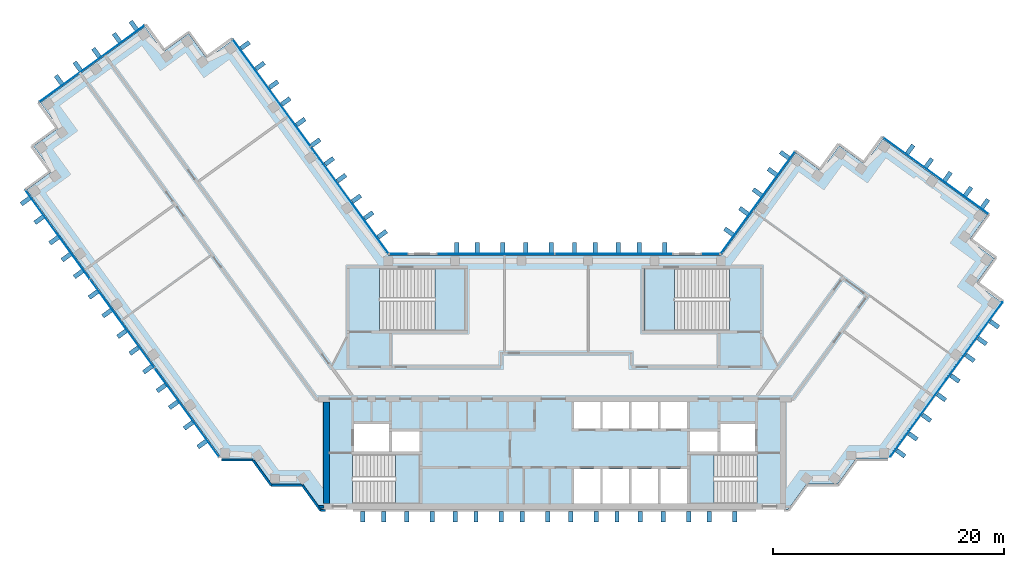
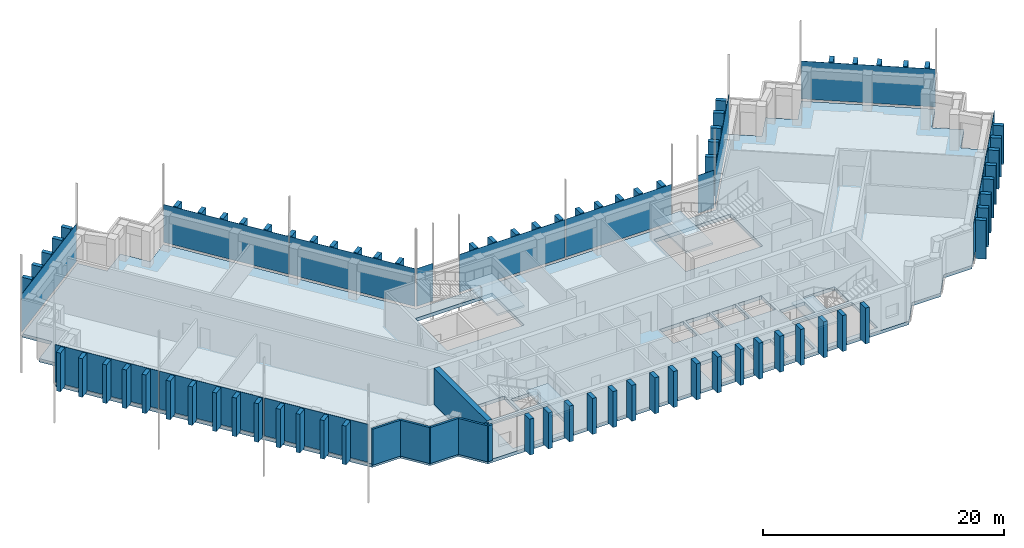
"""IFC4 building model written with IfcOpenShell, lengths in metres."""

from ifc_helpers import new_model, si_unit, direction, frame, frame_2d, origin, origin_2d, place, context, subcontext, project, spatial, polyline, rectangle, outline, extrude, material, layer, layer_set, type_object, element, aggregate, save


model = new_model("IFC4")

# Units and contexts
model_context = context("Model", 3, precision=1e-05, world=origin(), true_north=direction((0.0, 1.0)))
body_context = subcontext(model_context, "Body", "Model", "MODEL_VIEW")
ifc_project = project(units=[si_unit("LENGTHUNIT", "METRE"), si_unit("AREAUNIT", "SQUARE_METRE"), si_unit("VOLUMEUNIT", "CUBIC_METRE"), si_unit("PLANEANGLEUNIT", "RADIAN"), si_unit("MASSUNIT", "GRAM", prefix="KILO")], contexts=[model_context])

# Site, building, storey
site_placement = place(None, origin())
site = spatial("IfcSite", under=ifc_project, at=site_placement, CompositionType="ELEMENT")
building_placement = place(site_placement, origin())
building = spatial("IfcBuilding", under=site, at=building_placement, Name="Quipu Civic Tower", CompositionType="ELEMENT")
storey_1_placement = place(building_placement, frame((0.0, 0.0, 234.0)))
storey_1 = spatial("IfcBuildingStorey", under=building, at=storey_1_placement, Name="L55", CompositionType="ELEMENT", Elevation=234.0)

# Slab
ifc_material_1 = material(Name="Concrete C40/50", Category="concrete")
ifc_layer_1 = layer(ifc_material_1, 0.35009765625)
ifc_layer_set_1 = layer_set([ifc_layer_1], Name="Concrete C40/50")
slab_type_1 = type_object("IfcSlabType", Name="Floor slab 350 C40/50", PredefinedType="FLOOR", material=ifc_layer_set_1)
slab_1_placement = place(storey_1_placement, frame((0.0, 0.0, -0.35009765625)))
element("IfcSlab", 1, at=slab_1_placement, inside=storey_1, type_object=slab_type_1, Name="Floor slab L55", PredefinedType="FLOOR", context=body_context, shape_type="SweptSolid", body=[
    extrude(outline(polyline([(20.860107421875, 19.89501953125), (23.0400390625, 18.31005859375), (24.6298828125, 20.4951171875), (26.81494140625, 18.905029296875), (28.39990234375, 21.090087890625), (37.4599609375, 14.5048828125), (35.875, 12.320068359375), (38.06005859375, 10.735107421875), (36.469970703125, 8.550048828125), (38.655029296875, 6.965087890625), (28.780029296875, -6.6298828125), (26.080078125, -6.6298828125), (24.489990234375, -8.81494140625), (21.7900390625, -8.81494140625), (20.205078125, -11.0), (-20.205078125, -11.0), (-21.7900390625, -8.81494140625), (-24.489990234375, -8.81494140625), (-26.080078125, -6.6298828125), (-28.780029296875, -6.6298828125), (-45.7099609375, 16.669921875), (-43.52490234375, 18.260009765625), (-45.114990234375, 20.445068359375), (-42.929931640625, 22.030029296875), (-44.514892578125, 24.215087890625), (-35.455078125, 30.800048828125), (-33.864990234375, 28.614990234375), (-31.68505859375, 30.199951171875), (-30.094970703125, 28.014892578125), (-27.909912109375, 29.60498046875), (-14.39501953125, 11.0), (14.39501953125, 11.0), (20.860107421875, 19.89501953125)]), holes=[polyline([(1.64990234375, -7.5), (1.64990234375, -10.5), (3.949951171875, -10.5), (3.949951171875, -7.5), (1.64990234375, -7.5)]), polyline([(4.14990234375, -7.5), (4.14990234375, -10.5), (6.449951171875, -10.5), (6.449951171875, -7.5), (4.14990234375, -7.5)]), polyline([(-11.705078125, -6.2548828125), (-17.4951171875, -6.2548828125), (-17.4951171875, -10.4951171875), (-11.705078125, -10.4951171875), (-11.705078125, -6.2548828125)]), polyline([(-14.10009765625, -4.25), (-14.10009765625, -6.0), (-11.699951171875, -6.0), (-11.699951171875, -4.25), (-14.10009765625, -4.25)]), polyline([(-17.35009765625, -3.60009765625), (-17.35009765625, -6.0), (-14.35009765625, -6.0), (-14.35009765625, -3.60009765625), (-17.35009765625, -3.60009765625)]), polyline([(1.64990234375, -1.699951171875), (1.64990234375, -4.0), (3.949951171875, -4.0), (3.949951171875, -1.699951171875), (1.64990234375, -1.699951171875)]), polyline([(4.14990234375, -1.699951171875), (4.14990234375, -4.0), (6.449951171875, -4.0), (6.449951171875, -1.699951171875), (4.14990234375, -1.699951171875)]), polyline([(-7.7548828125, 9.844970703125), (-15.14501953125, 9.844970703125), (-15.14501953125, 4.5048828125), (-7.7548828125, 4.5048828125), (-7.7548828125, 9.844970703125)]), polyline([(6.64990234375, -7.5), (6.64990234375, -10.5), (8.949951171875, -10.5), (8.949951171875, -7.5), (6.64990234375, -7.5)]), polyline([(9.14990234375, -7.5), (9.14990234375, -10.5), (11.449951171875, -10.5), (11.449951171875, -7.5), (9.14990234375, -7.5)]), polyline([(11.705078125, -10.4951171875), (17.4951171875, -10.4951171875), (17.4951171875, -6.2548828125), (11.705078125, -6.2548828125), (11.705078125, -10.4951171875)]), polyline([(11.699951171875, -4.25), (11.699951171875, -6.0), (14.10009765625, -6.0), (14.10009765625, -4.25), (11.699951171875, -4.25)]), polyline([(14.35009765625, -3.60009765625), (14.35009765625, -6.0), (17.35009765625, -6.0), (17.35009765625, -3.60009765625), (14.35009765625, -3.60009765625)]), polyline([(6.64990234375, -1.699951171875), (6.64990234375, -4.0), (8.949951171875, -4.0), (8.949951171875, -1.699951171875), (6.64990234375, -1.699951171875)]), polyline([(9.14990234375, -1.699951171875), (9.14990234375, -4.0), (11.449951171875, -4.0), (11.449951171875, -1.699951171875), (9.14990234375, -1.699951171875)]), polyline([(7.7548828125, 4.5048828125), (15.14501953125, 4.5048828125), (15.14501953125, 9.844970703125), (7.7548828125, 9.844970703125), (7.7548828125, 4.5048828125)])]), origin(), (0.0, 0.0, 1.0), 0.35009765625),
])

# Curtain wall, plates
ifc_material_2 = material(Name="Insulated glass unit", Category="glass")
curtain_wall_type = type_object("IfcCurtainWallType", Name="Office curtain wall CW1", PredefinedType="NOTDEFINED", material=ifc_material_2)
curtain_wall_1_placement = place(storey_1_placement, origin())
curtain_wall_1 = element("IfcCurtainWall", 2, at=curtain_wall_1_placement, inside=storey_1, type_object=curtain_wall_type, Name="Office curtain wall CW1 L54 run 1", PredefinedType="NOTDEFINED")
ifc_material_3 = material(Name="Insulated glass unit", Category="glass")
ifc_layer_2 = layer(ifc_material_3, 0.028076171875)
ifc_layer_set_2 = layer_set([ifc_layer_2], Name="Insulated glass unit")
plate_type_1 = type_object("IfcPlateType", Name="Glass panel CW1", PredefinedType="CURTAIN_PANEL", material=ifc_layer_set_2)
plate_1_placement = place(storey_1_placement, frame((-17.7421875, 15.777099609375, 0.16015625), z_axis=(0.0, 0.0, 1.0), x_axis=(-0.587788727052, 0.809014469803, 0.0)))
plate_1 = element("IfcPlate", 3, at=plate_1_placement, type_object=plate_type_1, Name="CW1 panel 1.2", PredefinedType="CURTAIN_PANEL", context=body_context, shape_type="SweptSolid", body=[
    extrude(rectangle(XDim=11.402099609375, YDim=0.028076171875, at=origin_2d()), origin(), (0.0, 0.0, 1.0), 3.840087890625),
])
plate_2_placement = place(storey_1_placement, frame((-24.491455078125, 25.066162109375, 0.16015625), z_axis=(0.0, 0.0, 1.0), x_axis=(-0.587788727052, 0.809014469803, 0.0)))
plate_2 = element("IfcPlate", 4, at=plate_2_placement, type_object=plate_type_1, Name="CW1 panel 2.2", PredefinedType="CURTAIN_PANEL", context=body_context, shape_type="SweptSolid", body=[
    extrude(rectangle(XDim=11.402099609375, YDim=0.028076171875, at=origin_2d()), origin(), (0.0, 0.0, 1.0), 3.840087890625),
])
aggregate(curtain_wall_1, [plate_1, plate_2])

# Curtain wall, plate
curtain_wall_2_placement = place(storey_1_placement, origin())
curtain_wall_2 = element("IfcCurtainWall", 5, at=curtain_wall_2_placement, inside=storey_1, type_object=curtain_wall_type, Name="Office curtain wall CW1 L54 run 6", PredefinedType="NOTDEFINED")
plate_3_placement = place(storey_1_placement, frame((-40.04345703125, 27.58740234375, 0.16015625), z_axis=(0.0, 0.0, 1.0), x_axis=(-0.809015176832, -0.587787753918, 0.0)))
plate_3 = element("IfcPlate", 6, at=plate_3_placement, type_object=plate_type_1, Name="CW1 panel 1.2", PredefinedType="CURTAIN_PANEL", context=body_context, shape_type="SweptSolid", body=[
    extrude(rectangle(XDim=11.239990234375, YDim=0.028076171875, at=origin_2d()), origin(), (0.0, 0.0, 1.0), 3.840087890625),
])
aggregate(curtain_wall_2, [plate_3])

# Curtain wall, plates
curtain_wall_3_placement = place(storey_1_placement, origin())
curtain_wall_3 = element("IfcCurtainWall", 7, at=curtain_wall_3_placement, inside=storey_1, type_object=curtain_wall_type, Name="Office curtain wall CW1 L54 run 11", PredefinedType="NOTDEFINED")
plate_4_placement = place(storey_1_placement, frame((-43.030517578125, 12.814208984375, 0.16015625), z_axis=(0.0, 0.0, 1.0), x_axis=(0.5877856923, -0.80901667469, 0.0)))
plate_4 = element("IfcPlate", 8, at=plate_4_placement, type_object=plate_type_1, Name="CW1 panel 1.2", PredefinedType="CURTAIN_PANEL", context=body_context, shape_type="SweptSolid", body=[
    extrude(rectangle(XDim=9.43212890625, YDim=0.028076171875, at=origin_2d()), origin(), (0.0, 0.0, 1.0), 3.840087890625),
])
plate_5_placement = place(storey_1_placement, frame((-37.427734375, 5.102783203125, 0.16015625), z_axis=(0.0, 0.0, 1.0), x_axis=(0.5877856923, -0.80901667469, 0.0)))
plate_5 = element("IfcPlate", 9, at=plate_5_placement, type_object=plate_type_1, Name="CW1 panel 2.2", PredefinedType="CURTAIN_PANEL", context=body_context, shape_type="SweptSolid", body=[
    extrude(rectangle(XDim=9.471923828125, YDim=0.028076171875, at=origin_2d()), origin(), (0.0, 0.0, 1.0), 3.840087890625),
])
plate_6_placement = place(storey_1_placement, frame((-31.824951171875, -2.60888671875, 0.16015625), z_axis=(0.0, 0.0, 1.0), x_axis=(0.5877856923, -0.80901667469, 0.0)))
plate_6 = element("IfcPlate", 10, at=plate_6_placement, type_object=plate_type_1, Name="CW1 panel 3.2", PredefinedType="CURTAIN_PANEL", context=body_context, shape_type="SweptSolid", body=[
    extrude(rectangle(XDim=9.43212890625, YDim=0.028076171875, at=origin_2d()), origin(), (0.0, 0.0, 1.0), 3.840087890625),
])
aggregate(curtain_wall_3, [plate_4, plate_5, plate_6])

# Curtain wall, plate
curtain_wall_4_placement = place(storey_1_placement, origin())
curtain_wall_4 = element("IfcCurtainWall", 11, at=curtain_wall_4_placement, inside=storey_1, type_object=curtain_wall_type, Name="Office curtain wall CW1 L54 run 21", PredefinedType="NOTDEFINED")
plate_7_placement = place(storey_1_placement, frame((32.989990234375, 17.87939453125, 0.16015625), z_axis=(0.0, 0.0, 1.0), x_axis=(-0.809015176832, 0.587787753918, 0.0)))
plate_7 = element("IfcPlate", 12, at=plate_7_placement, type_object=plate_type_1, Name="CW1 panel 1.2", PredefinedType="CURTAIN_PANEL", context=body_context, shape_type="SweptSolid", body=[
    extrude(rectangle(XDim=11.239990234375, YDim=0.028076171875, at=origin_2d()), origin(), (0.0, 0.0, 1.0), 3.840087890625),
])
aggregate(curtain_wall_4, [plate_7])

curtain_wall_5_placement = place(storey_1_placement, origin())
curtain_wall_5 = element("IfcCurtainWall", 13, at=curtain_wall_5_placement, inside=storey_1, type_object=curtain_wall_type, Name="Office curtain wall CW1 L54 run 26", PredefinedType="NOTDEFINED")
plate_8_placement = place(storey_1_placement, frame((17.590087890625, 15.5673828125, 0.16015625), z_axis=(0.0, 0.0, 1.0), x_axis=(-0.587787771652, -0.809015163947, 0.0)))
plate_8 = element("IfcPlate", 14, at=plate_8_placement, type_object=plate_type_1, Name="CW1 panel 1.2", PredefinedType="CURTAIN_PANEL", context=body_context, shape_type="SweptSolid", body=[
    extrude(rectangle(XDim=10.88427734375, YDim=0.028076171875, at=origin_2d()), origin(), (0.0, 0.0, 1.0), 3.840087890625),
])
aggregate(curtain_wall_5, [plate_8])

curtain_wall_6_placement = place(storey_1_placement, origin())
curtain_wall_6 = element("IfcCurtainWall", 15, at=curtain_wall_6_placement, inside=storey_1, type_object=curtain_wall_type, Name="Office curtain wall CW1 L54 run 27", PredefinedType="NOTDEFINED")
plate_9_placement = place(storey_1_placement, frame((13.49951171875, 11.10009765625, 0.16015625), z_axis=(0.0, 0.0, 1.0), x_axis=(-1.0, 0.0, 0.0)))
plate_9 = element("IfcPlate", 16, at=plate_9_placement, type_object=plate_type_1, Name="CW1 panel 1.2", PredefinedType="CURTAIN_PANEL", context=body_context, shape_type="SweptSolid", body=[
    extrude(rectangle(XDim=1.529296875, YDim=0.028076171875, at=origin_2d()), origin(), (0.0, 0.0, 1.0), 3.840087890625),
])
aggregate(curtain_wall_6, [plate_9])

# Curtain wall, plates
curtain_wall_7_placement = place(storey_1_placement, origin())
curtain_wall_7 = element("IfcCurtainWall", 17, at=curtain_wall_7_placement, inside=storey_1, type_object=curtain_wall_type, Name="Office curtain wall CW1 L54 run 29", PredefinedType="NOTDEFINED")
plate_10_placement = place(storey_1_placement, frame((5.11181640625, 11.10009765625, 0.16015625), z_axis=(0.0, 0.0, 1.0), x_axis=(-1.0, 0.0, 0.0)))
plate_10 = element("IfcPlate", 18, at=plate_10_placement, type_object=plate_type_1, Name="CW1 panel 1.2", PredefinedType="CURTAIN_PANEL", context=body_context, shape_type="SweptSolid", body=[
    extrude(rectangle(XDim=10.1435546875, YDim=0.028076171875, at=origin_2d()), origin(), (0.0, 0.0, 1.0), 3.840087890625),
])
plate_11_placement = place(storey_1_placement, frame((-5.11181640625, 11.10009765625, 0.16015625), z_axis=(0.0, 0.0, 1.0), x_axis=(-1.0, 0.0, 0.0)))
plate_11 = element("IfcPlate", 19, at=plate_11_placement, type_object=plate_type_1, Name="CW1 panel 2.2", PredefinedType="CURTAIN_PANEL", context=body_context, shape_type="SweptSolid", body=[
    extrude(rectangle(XDim=10.1435546875, YDim=0.028076171875, at=origin_2d()), origin(), (0.0, 0.0, 1.0), 3.840087890625),
])
aggregate(curtain_wall_7, [plate_10, plate_11])

# Curtain wall, plate
curtain_wall_8_placement = place(storey_1_placement, origin())
curtain_wall_8 = element("IfcCurtainWall", 20, at=curtain_wall_8_placement, inside=storey_1, type_object=curtain_wall_type, Name="Office curtain wall CW1 L54 run 31", PredefinedType="NOTDEFINED")
plate_12_placement = place(storey_1_placement, frame((-13.49951171875, 11.10009765625, 0.16015625), z_axis=(0.0, 0.0, 1.0), x_axis=(-1.0, 0.0, 0.0)))
plate_12 = element("IfcPlate", 21, at=plate_12_placement, type_object=plate_type_1, Name="CW1 panel 1.2", PredefinedType="CURTAIN_PANEL", context=body_context, shape_type="SweptSolid", body=[
    extrude(rectangle(XDim=1.529296875, YDim=0.028076171875, at=origin_2d()), origin(), (0.0, 0.0, 1.0), 3.840087890625),
])
aggregate(curtain_wall_8, [plate_12])

# Storey
storey_2_placement = place(building_placement, frame((0.0, 0.0, 238.0)))
storey_2 = spatial("IfcBuildingStorey", under=building, at=storey_2_placement, Name="L56", CompositionType="ELEMENT", Elevation=238.0)

# Curtain wall, plates
curtain_wall_9_placement = place(storey_2_placement, origin())
curtain_wall_9 = element("IfcCurtainWall", 22, at=curtain_wall_9_placement, inside=storey_2, type_object=curtain_wall_type, Name="Office curtain wall CW1 L55 run 4", PredefinedType="NOTDEFINED")
plate_13_placement = place(storey_1_placement, frame((31.465087890625, -3.10400390625, 0.240234375), z_axis=(0.0, 0.0, 1.0), x_axis=(0.58778680192, 0.809015868502, 0.0)))
plate_13 = element("IfcPlate", 23, at=plate_13_placement, inside=storey_1, type_object=plate_type_1, Name="CW1 panel 1.1", PredefinedType="CURTAIN_PANEL", context=body_context, shape_type="SweptSolid", body=[
    extrude(rectangle(XDim=8.2080078125, YDim=0.028076171875, at=origin_2d()), origin(), (0.0, 0.0, 1.0), 3.760009765625),
])
plate_14_placement = place(storey_1_placement, frame((36.3369140625, 3.60107421875, 0.240234375), z_axis=(0.0, 0.0, 1.0), x_axis=(0.58778680192, 0.809015868502, 0.0)))
plate_14 = element("IfcPlate", 24, at=plate_14_placement, inside=storey_1, type_object=plate_type_1, Name="CW1 panel 2.1", PredefinedType="CURTAIN_PANEL", context=body_context, shape_type="SweptSolid", body=[
    extrude(rectangle(XDim=8.2080078125, YDim=0.028076171875, at=origin_2d()), origin(), (0.0, 0.0, 1.0), 3.760009765625),
])
aggregate(curtain_wall_9, [plate_13, plate_14])

# Plates
ifc_material_4 = material(Name="Precast concrete C40/50", Category="concrete")
plate_type_2 = type_object("IfcPlateType", Name="Precast fin F2", PredefinedType="SHEET", material=ifc_material_4)
for number, where, z_axis, x_axis, name in (
    (25, (-14.92138671875, 12.830078125, 0.080078125), (0.0, 0.0, 1.0), (-0.587787133119, 0.809015627871, 0.0), "Precast fin F2 L55.P04.1"),
    (26, (-16.09716796875, 14.4482421875, 0.080078125), (0.0, 0.0, 1.0), (-0.587787133119, 0.809015627871, 0.0), "Precast fin F2 L55.P04.2"),
    (27, (-17.155029296875, 15.904541015625, 0.080078125), (0.0, 0.0, 1.0), (-0.587787133119, 0.809015627871, 0.0), "Precast fin F2 L55.P04.3"),
    (28, (-18.4482421875, 17.684326171875, 0.080078125), (0.0, 0.0, 1.0), (-0.587787133119, 0.809015627871, 0.0), "Precast fin F2 L55.P04.4"),
    (29, (-19.506103515625, 19.140625, 0.080078125), (0.0, 0.0, 1.0), (-0.587787133119, 0.809015627871, 0.0), "Precast fin F2 L55.P04.5"),
    (30, (-20.681884765625, 20.758544921875, 0.080078125), (0.0, 0.0, 1.0), (-0.587787133119, 0.809015627871, 0.0), "Precast fin F2 L55.P04.6"),
    (31, (-21.974853515625, 22.538330078125, 0.080078125), (0.0, 0.0, 1.0), (-0.587787133119, 0.809015627871, 0.0), "Precast fin F2 L55.P04.7"),
    (32, (-23.26806640625, 24.318115234375, 0.080078125), (0.0, 0.0, 1.0), (-0.587787133119, 0.809015627871, 0.0), "Precast fin F2 L55.P04.8"),
    (33, (-24.326171875, 25.7744140625, 0.080078125), (0.0, 0.0, 1.0), (-0.587787133119, 0.809015627871, 0.0), "Precast fin F2 L55.P04.9"),
    (34, (-25.501708984375, 27.392578125, 0.080078125), (0.0, 0.0, 1.0), (-0.587787133119, 0.809015627871, 0.0), "Precast fin F2 L55.P04.10"),
    (35, (-26.794677734375, 29.17236328125, 0.080078125), (0.0, 0.0, 1.0), (-0.587787133119, 0.809015627871, 0.0), "Precast fin F2 L55.P04.11"),
    (36, (-36.434814453125, 30.88916015625, 0.080078125), (0.0, 0.0, 1.0), (-0.809017072762, -0.587785144401, 0.0), "Precast fin F2 L55.P09.1"),
    (37, (-37.89111328125, 29.8310546875, 0.080078125), (0.0, 0.0, 1.0), (-0.809017072762, -0.587785144401, 0.0), "Precast fin F2 L55.P09.2"),
    (38, (-39.6708984375, 28.537841796875, 0.080078125), (0.0, 0.0, 1.0), (-0.809017072762, -0.587785144401, 0.0), "Precast fin F2 L55.P09.3"),
    (39, (-41.2890625, 27.3623046875, 0.080078125), (0.0, 0.0, 1.0), (-0.809017072762, -0.587785144401, 0.0), "Precast fin F2 L55.P09.4"),
    (40, (-42.906982421875, 26.186767578125, 0.080078125), (0.0, 0.0, 1.0), (-0.809017072762, -0.587785144401, 0.0), "Precast fin F2 L55.P09.5"),
    (41, (-45.80078125, 15.69140625, 0.080078125), (0.0, 0.0, 1.0), (0.587785620359, -0.809016726959, 0.0), "Precast fin F2 L55.P14.1"),
    (42, (-44.625244140625, 14.073486328125, 0.080078125), (0.0, 0.0, 1.0), (0.587785620359, -0.809016726959, 0.0), "Precast fin F2 L55.P14.2"),
    (43, (-43.33203125, 12.293701171875, 0.080078125), (0.0, 0.0, 1.0), (0.587785620359, -0.809016726959, 0.0), "Precast fin F2 L55.P14.3"),
    (44, (-42.27392578125, 10.83740234375, 0.080078125), (0.0, 0.0, 1.0), (0.587785620359, -0.809016726959, 0.0), "Precast fin F2 L55.P14.4"),
    (45, (-41.216064453125, 9.381103515625, 0.080078125), (0.0, 0.0, 1.0), (0.587785620359, -0.809016726959, 0.0), "Precast fin F2 L55.P14.5"),
    (46, (-39.9228515625, 7.601318359375, 0.080078125), (0.0, 0.0, 1.0), (0.587785620359, -0.809016726959, 0.0), "Precast fin F2 L55.P14.6"),
    (47, (-38.747314453125, 5.983154296875, 0.080078125), (0.0, 0.0, 1.0), (0.587785620359, -0.809016726959, 0.0), "Precast fin F2 L55.P14.7"),
    (48, (-37.4541015625, 4.203369140625, 0.080078125), (0.0, 0.0, 1.0), (0.587785620359, -0.809016726959, 0.0), "Precast fin F2 L55.P14.8"),
    (49, (-36.396240234375, 2.747314453125, 0.080078125), (0.0, 0.0, 1.0), (0.587785620359, -0.809016726959, 0.0), "Precast fin F2 L55.P14.9"),
    (50, (-35.220458984375, 1.129150390625, 0.080078125), (0.0, 0.0, 1.0), (0.587785620359, -0.809016726959, 0.0), "Precast fin F2 L55.P14.10"),
    (51, (-34.044921875, -0.48876953125, 0.080078125), (0.0, 0.0, 1.0), (0.587785620359, -0.809016726959, 0.0), "Precast fin F2 L55.P14.11"),
    (52, (-32.987060546875, -1.945068359375, 0.080078125), (0.0, 0.0, 1.0), (0.587785620359, -0.809016726959, 0.0), "Precast fin F2 L55.P14.12"),
    (53, (-31.69384765625, -3.724853515625, 0.080078125), (0.0, 0.0, 1.0), (0.587785620359, -0.809016726959, 0.0), "Precast fin F2 L55.P14.13"),
    (54, (-30.518310546875, -5.343017578125, 0.080078125), (0.0, 0.0, 1.0), (0.587785620359, -0.809016726959, 0.0), "Precast fin F2 L55.P14.14"),
):
    element("IfcPlate", number, at=place(storey_1_placement, frame(where, z_axis=z_axis, x_axis=x_axis)), inside=storey_1, type_object=plate_type_2, Name=name, PredefinedType="SHEET", context=body_context, shape_type="SweptSolid", body=[
        extrude(rectangle(XDim=0.3798828125, YDim=0.89990234375, at=origin_2d()), origin(), (0.0, 0.0, 1.0), 3.919921875),
    ])
for number, where, z_axis, x_axis, name in (
    (55, (-16.610107421875, -11.637939453125, 0.0), (0.0, 0.0, 1.0), (1.0, 0.0, 0.0), "Precast fin F2 L55.P21.1"),
    (56, (-14.81005859375, -11.637939453125, 0.0), (0.0, 0.0, 1.0), (1.0, 0.0, 0.0), "Precast fin F2 L55.P21.2"),
    (57, (-12.81005859375, -11.637939453125, 0.0), (0.0, 0.0, 1.0), (1.0, 0.0, 0.0), "Precast fin F2 L55.P21.3"),
    (58, (-10.610107421875, -11.637939453125, 0.0), (0.0, 0.0, 1.0), (1.0, 0.0, 0.0), "Precast fin F2 L55.P21.4"),
    (59, (-8.610107421875, -11.637939453125, 0.0), (0.0, 0.0, 1.0), (1.0, 0.0, 0.0), "Precast fin F2 L55.P21.5"),
    (60, (-6.81005859375, -11.637939453125, 0.0), (0.0, 0.0, 1.0), (1.0, 0.0, 0.0), "Precast fin F2 L55.P21.6"),
    (61, (-4.610107421875, -11.637939453125, 0.0), (0.0, 0.0, 1.0), (1.0, 0.0, 0.0), "Precast fin F2 L55.P21.7"),
    (62, (-2.81005859375, -11.637939453125, 0.0), (0.0, 0.0, 1.0), (1.0, 0.0, 0.0), "Precast fin F2 L55.P21.8"),
    (63, (-0.610107421875, -11.637939453125, 0.0), (0.0, 0.0, 1.0), (1.0, 0.0, 0.0), "Precast fin F2 L55.P21.9"),
    (64, (1.389892578125, -11.637939453125, 0.0), (0.0, 0.0, 1.0), (1.0, 0.0, 0.0), "Precast fin F2 L55.P21.10"),
    (65, (3.590087890625, -11.637939453125, 0.0), (0.0, 0.0, 1.0), (1.0, 0.0, 0.0), "Precast fin F2 L55.P21.11"),
    (66, (5.389892578125, -11.637939453125, 0.0), (0.0, 0.0, 1.0), (1.0, 0.0, 0.0), "Precast fin F2 L55.P21.12"),
    (67, (7.389892578125, -11.637939453125, 0.0), (0.0, 0.0, 1.0), (1.0, 0.0, 0.0), "Precast fin F2 L55.P21.13"),
    (68, (9.389892578125, -11.637939453125, 0.0), (0.0, 0.0, 1.0), (1.0, 0.0, 0.0), "Precast fin F2 L55.P21.14"),
    (69, (11.590087890625, -11.637939453125, 0.0), (0.0, 0.0, 1.0), (1.0, 0.0, 0.0), "Precast fin F2 L55.P21.15"),
    (70, (13.389892578125, -11.637939453125, 0.0), (0.0, 0.0, 1.0), (1.0, 0.0, 0.0), "Precast fin F2 L55.P21.16"),
    (71, (15.590087890625, -11.637939453125, 0.0), (0.0, 0.0, 1.0), (1.0, 0.0, 0.0), "Precast fin F2 L55.P21.17"),
):
    element("IfcPlate", number, at=place(storey_1_placement, frame(where, z_axis=z_axis, x_axis=x_axis)), inside=storey_1, type_object=plate_type_2, Name=name, PredefinedType="SHEET", context=body_context, shape_type="SweptSolid", body=[
        extrude(rectangle(XDim=0.3798828125, YDim=0.89990234375, at=origin_2d()), origin(), (0.0, 0.0, 1.0), 3.64990234375),
    ])
for number, where, z_axis, x_axis, name in (
    (72, (37.2451171875, 15.467529296875, 0.080078125), (0.0, 0.0, 1.0), (-0.809017072762, 0.587785144401, 0.0), "Precast fin F2 L55.P25.1"),
    (73, (35.7890625, 16.525634765625, 0.080078125), (0.0, 0.0, 1.0), (-0.809017072762, 0.587785144401, 0.0), "Precast fin F2 L55.P25.2"),
    (74, (34.009033203125, 17.81884765625, 0.080078125), (0.0, 0.0, 1.0), (-0.809017072762, 0.587785144401, 0.0), "Precast fin F2 L55.P25.3"),
    (75, (32.39111328125, 18.994384765625, 0.080078125), (0.0, 0.0, 1.0), (-0.809017072762, 0.587785144401, 0.0), "Precast fin F2 L55.P25.4"),
    (76, (30.77294921875, 20.169921875, 0.080078125), (0.0, 0.0, 1.0), (-0.809017072762, 0.587785144401, 0.0), "Precast fin F2 L55.P25.5"),
    (77, (19.897216796875, 19.6787109375, 0.080078125), (0.0, 0.0, 1.0), (-0.58778443384, -0.809017589015, 0.0), "Precast fin F2 L55.P30.1"),
    (78, (18.839111328125, 18.222412109375, 0.080078125), (0.0, 0.0, 1.0), (-0.58778443384, -0.809017589015, 0.0), "Precast fin F2 L55.P30.2"),
    (79, (17.546142578125, 16.442626953125, 0.080078125), (0.0, 0.0, 1.0), (-0.58778443384, -0.809017589015, 0.0), "Precast fin F2 L55.P30.3"),
    (80, (16.370361328125, 14.824462890625, 0.080078125), (0.0, 0.0, 1.0), (-0.58778443384, -0.809017589015, 0.0), "Precast fin F2 L55.P30.4"),
    (81, (15.077392578125, 13.044677734375, 0.080078125), (0.0, 0.0, 1.0), (-0.58778443384, -0.809017589015, 0.0), "Precast fin F2 L55.P30.5"),
    (82, (9.510009765625, 11.64990234375, 0.080078125), (0.0, 0.0, 1.0), (-1.0, 0.0, 0.0), "Precast fin F2 L55.P33.1"),
    (83, (7.31005859375, 11.64990234375, 0.080078125), (0.0, 0.0, 1.0), (-1.0, 0.0, 0.0), "Precast fin F2 L55.P33.2"),
    (84, (5.510009765625, 11.64990234375, 0.080078125), (0.0, 0.0, 1.0), (-1.0, 0.0, 0.0), "Precast fin F2 L55.P33.3"),
    (85, (3.510009765625, 11.64990234375, 0.080078125), (0.0, 0.0, 1.0), (-1.0, 0.0, 0.0), "Precast fin F2 L55.P33.4"),
    (86, (1.7099609375, 11.64990234375, 0.080078125), (0.0, 0.0, 1.0), (-1.0, 0.0, 0.0), "Precast fin F2 L55.P33.5"),
    (87, (-0.2900390625, 11.64990234375, 0.080078125), (0.0, 0.0, 1.0), (-1.0, 0.0, 0.0), "Precast fin F2 L55.P33.6"),
    (88, (-2.489990234375, 11.64990234375, 0.080078125), (0.0, 0.0, 1.0), (-1.0, 0.0, 0.0), "Precast fin F2 L55.P33.7"),
    (89, (-4.489990234375, 11.64990234375, 0.080078125), (0.0, 0.0, 1.0), (-1.0, 0.0, 0.0), "Precast fin F2 L55.P33.8"),
    (90, (-6.68994140625, 11.64990234375, 0.080078125), (0.0, 0.0, 1.0), (-1.0, 0.0, 0.0), "Precast fin F2 L55.P33.9"),
    (91, (-8.489990234375, 11.64990234375, 0.080078125), (0.0, 0.0, 1.0), (-1.0, 0.0, 0.0), "Precast fin F2 L55.P33.10"),
    (92, (29.943603515625, -6.134033203125, 0.080078125), (0.0, 0.0, 1.0), (0.587786668783, 0.809015965233, 0.0), "Precast fin F2 L55.4.1"),
    (93, (31.00146484375, -4.677734375, 0.080078125), (0.0, 0.0, 1.0), (0.587786668783, 0.809015965233, 0.0), "Precast fin F2 L55.4.2"),
    (94, (32.17724609375, -3.059814453125, 0.080078125), (0.0, 0.0, 1.0), (0.587786668783, 0.809015965233, 0.0), "Precast fin F2 L55.4.3"),
    (95, (33.47021484375, -1.280029296875, 0.080078125), (0.0, 0.0, 1.0), (0.587786668783, 0.809015965233, 0.0), "Precast fin F2 L55.4.4"),
    (96, (34.645751953125, 0.338134765625, 0.080078125), (0.0, 0.0, 1.0), (0.587786668783, 0.809015965233, 0.0), "Precast fin F2 L55.4.5"),
    (97, (35.93896484375, 2.117919921875, 0.080078125), (0.0, 0.0, 1.0), (0.587786668783, 0.809015965233, 0.0), "Precast fin F2 L55.4.6"),
    (98, (36.9970703125, 3.57421875, 0.080078125), (0.0, 0.0, 1.0), (0.587786668783, 0.809015965233, 0.0), "Precast fin F2 L55.4.7"),
    (99, (38.054931640625, 5.030517578125, 0.080078125), (0.0, 0.0, 1.0), (0.587786668783, 0.809015965233, 0.0), "Precast fin F2 L55.4.8"),
):
    element("IfcPlate", number, at=place(storey_1_placement, frame(where, z_axis=z_axis, x_axis=x_axis)), inside=storey_1, type_object=plate_type_2, Name=name, PredefinedType="SHEET", context=body_context, shape_type="SweptSolid", body=[
        extrude(rectangle(XDim=0.3798828125, YDim=0.89990234375, at=origin_2d()), origin(), (0.0, 0.0, 1.0), 3.919921875),
    ])

# Stair, slab
ifc_material_5 = material(Name="Concrete C40/50", Category="concrete")
stair_type_1 = type_object("IfcStairType", Name="Half turn stair 2000", PredefinedType="HALF_TURN_STAIR", material=ifc_material_5)
stair_1_placement = place(storey_1_placement, origin())
stair_1 = element("IfcStair", 100, at=stair_1_placement, inside=storey_1, type_object=stair_type_1, Name="Exit stair 1", PredefinedType="HALF_TURN_STAIR")
ifc_material_6 = material(Name="Concrete C40/50", Category="concrete")
ifc_layer_3 = layer(ifc_material_6, 0.199951171875)
ifc_layer_set_3 = layer_set([ifc_layer_3], Name="Concrete C40/50")
slab_type_2 = type_object("IfcSlabType", Name="Stair landing 200", PredefinedType="LANDING", material=ifc_layer_set_3)
slab_2_placement = place(storey_1_placement, frame((0.0, 0.0, 1.800048828125)))
slab_2 = element("IfcSlab", 101, at=slab_2_placement, type_object=slab_type_2, Name="ST-1 landing 1", PredefinedType="LANDING", context=body_context, shape_type="SweptSolid", body=[
    extrude(outline(polyline([(-13.780029296875, -10.5), (-11.699951171875, -10.5), (-11.699951171875, -6.25), (-13.780029296875, -6.25), (-13.780029296875, -10.5)])), origin(), (0.0, 0.0, 1.0), 0.199951171875),
])
aggregate(stair_1, [slab_2])

stair_2_placement = place(storey_1_placement, origin())
stair_2 = element("IfcStair", 102, at=stair_2_placement, inside=storey_1, type_object=stair_type_1, Name="Exit stair 2", PredefinedType="HALF_TURN_STAIR")
slab_3_placement = place(storey_1_placement, frame((0.0, 0.0, 1.800048828125)))
slab_3 = element("IfcSlab", 103, at=slab_3_placement, type_object=slab_type_2, Name="ST-2 landing 1", PredefinedType="LANDING", context=body_context, shape_type="SweptSolid", body=[
    extrude(outline(polyline([(13.780029296875, -6.25), (11.699951171875, -6.25), (11.699951171875, -10.5), (13.780029296875, -10.5), (13.780029296875, -6.25)])), origin(), (0.0, 0.0, 1.0), 0.199951171875),
])
aggregate(stair_2, [slab_3])

ifc_material_7 = material(Name="Concrete C40/50", Category="concrete")
stair_type_2 = type_object("IfcStairType", Name="Half turn stair 2600", PredefinedType="HALF_TURN_STAIR", material=ifc_material_7)
stair_3_placement = place(storey_1_placement, origin())
stair_3 = element("IfcStair", 104, at=stair_3_placement, inside=storey_1, type_object=stair_type_2, Name="Exit stair 3", PredefinedType="HALF_TURN_STAIR")
slab_4_placement = place(storey_1_placement, frame((0.0, 0.0, 1.800048828125)))
slab_4 = element("IfcSlab", 105, at=slab_4_placement, type_object=slab_type_2, Name="ST-3 landing 1", PredefinedType="LANDING", context=body_context, shape_type="SweptSolid", body=[
    extrude(outline(polyline([(-10.35009765625, 4.5), (-7.75, 4.5), (-7.75, 9.85009765625), (-10.35009765625, 9.85009765625), (-10.35009765625, 4.5)])), origin(), (0.0, 0.0, 1.0), 0.199951171875),
])
aggregate(stair_3, [slab_4])

stair_4_placement = place(storey_1_placement, origin())
stair_4 = element("IfcStair", 106, at=stair_4_placement, inside=storey_1, type_object=stair_type_2, Name="Exit stair 4", PredefinedType="HALF_TURN_STAIR")
slab_5_placement = place(storey_1_placement, frame((0.0, 0.0, 1.800048828125)))
slab_5 = element("IfcSlab", 107, at=slab_5_placement, type_object=slab_type_2, Name="ST-4 landing 1", PredefinedType="LANDING", context=body_context, shape_type="SweptSolid", body=[
    extrude(outline(polyline([(10.35009765625, 9.85009765625), (7.75, 9.85009765625), (7.75, 4.5), (10.35009765625, 4.5), (10.35009765625, 9.85009765625)])), origin(), (0.0, 0.0, 1.0), 0.199951171875),
])
aggregate(stair_4, [slab_5])

# Walls
ifc_material_8 = material(Name="Concrete C70/85", Category="concrete")
ifc_layer_4 = layer(ifc_material_8, 0.5)
ifc_layer_set_4 = layer_set([ifc_layer_4], Name="Concrete C70/85")
wall_type_1 = type_object("IfcWallType", Name="Core wall 500", PredefinedType="SHEAR", material=ifc_layer_set_4)
wall_1_placement = place(storey_1_placement, frame((-19.75, -10.5, 0.0), z_axis=(0.0, 0.0, 1.0), x_axis=(0.0, 1.0, 0.0)))
element("IfcWall", 108, at=wall_1_placement, inside=storey_1, type_object=wall_type_1, Name="Core wall", PredefinedType="SHEAR", context=body_context, shape_type="SweptSolid", body=[
    extrude(rectangle(XDim=8.800048828125, YDim=0.5, at=frame_2d((4.39990234375, 0.0))), origin(), (0.0, 0.0, 1.0), 3.64990234375),
])
ifc_material_9 = material(Name="Precast concrete C40/50", Category="concrete")
wall_type_2 = type_object("IfcWallType", Name="Precast cladding wall", PredefinedType="SOLIDWALL", material=ifc_material_9)
wall_2_placement = place(storey_1_placement, frame((-28.829833984375, -6.71923828125, 0.0), z_axis=(0.0, 0.0, 1.0), x_axis=(1.0, 0.0, 0.0)))
element("IfcWall", 109, at=wall_2_placement, inside=storey_1, type_object=wall_type_2, Name="Precast cladding wall L55 P15", PredefinedType="SOLIDWALL", context=body_context, shape_type="SweptSolid", body=[
    extrude(rectangle(XDim=2.699951171875, YDim=0.199951171875, at=frame_2d((1.35009765625, 0.0))), origin(), (0.0, 0.0, 1.0), 3.64990234375),
])
wall_3_placement = place(storey_1_placement, frame((-26.1201171875, -6.72412109375, 0.0), z_axis=(0.0, 0.0, 1.0), x_axis=(0.587720002413, -0.809064397168, 0.0)))
element("IfcWall", 110, at=wall_3_placement, inside=storey_1, type_object=wall_type_2, Name="Precast cladding wall L55 P16", PredefinedType="SOLIDWALL", context=body_context, shape_type="SweptSolid", body=[
    extrude(rectangle(XDim=2.7001953125, YDim=0.199951171875, at=frame_2d((1.35009765625, 0.0))), origin(), (0.0, 0.0, 1.0), 3.64990234375),
])
wall_4_placement = place(storey_1_placement, frame((-24.542724609375, -8.90380859375, 0.0), z_axis=(0.0, 0.0, 1.0), x_axis=(1.0, 0.0, 0.0)))
element("IfcWall", 111, at=wall_4_placement, inside=storey_1, type_object=wall_type_2, Name="Precast cladding wall L55 P17", PredefinedType="SOLIDWALL", context=body_context, shape_type="SweptSolid", body=[
    extrude(rectangle(XDim=2.699951171875, YDim=0.199951171875, at=frame_2d((1.35009765625, 0.0))), origin(), (0.0, 0.0, 1.0), 3.64990234375),
])
wall_5_placement = place(storey_1_placement, frame((-21.8330078125, -8.90869140625, 0.0), z_axis=(0.0, 0.0, 1.0), x_axis=(0.587766567315, -0.809030569476, 0.0)))
element("IfcWall", 112, at=wall_5_placement, inside=storey_1, type_object=wall_type_2, Name="Precast cladding wall L55 P18", PredefinedType="SOLIDWALL", context=body_context, shape_type="SweptSolid", body=[
    extrude(rectangle(XDim=2.687744140625, YDim=0.199951171875, at=frame_2d((1.34375, 0.0))), origin(), (0.0, 0.0, 1.0), 3.64990234375),
])
wall_6_placement = place(storey_1_placement, frame((-20.255859375, -11.087890625, 0.0), z_axis=(0.0, 0.0, 1.0), x_axis=(1.0, 0.0, 0.0)))
element("IfcWall", 113, at=wall_6_placement, inside=storey_1, type_object=wall_type_2, Name="Precast cladding wall L55 P19", PredefinedType="SOLIDWALL", context=body_context, shape_type="SweptSolid", body=[
    extrude(rectangle(XDim=0.40576171875, YDim=0.199951171875, at=frame_2d((0.202880859375, 0.0))), origin(), (0.0, 0.0, 1.0), 3.64990234375),
])
wall_7_placement = place(storey_1_placement, frame((-19.97998046875, -10.75, 0.0), z_axis=(0.0, 0.0, 1.0), x_axis=(-1.0, 0.0, 0.0)))
element("IfcWall", 114, at=wall_7_placement, inside=storey_1, type_object=wall_type_2, Name="Precast cladding return L55 W", PredefinedType="SOLIDWALL", context=body_context, shape_type="SweptSolid", body=[
    extrude(rectangle(XDim=0.41650390625, YDim=0.199951171875, at=frame_2d((0.208251953125, 0.0))), origin(), (0.0, 0.0, 1.0), 3.64990234375),
])

save(model, "model.ifc")
